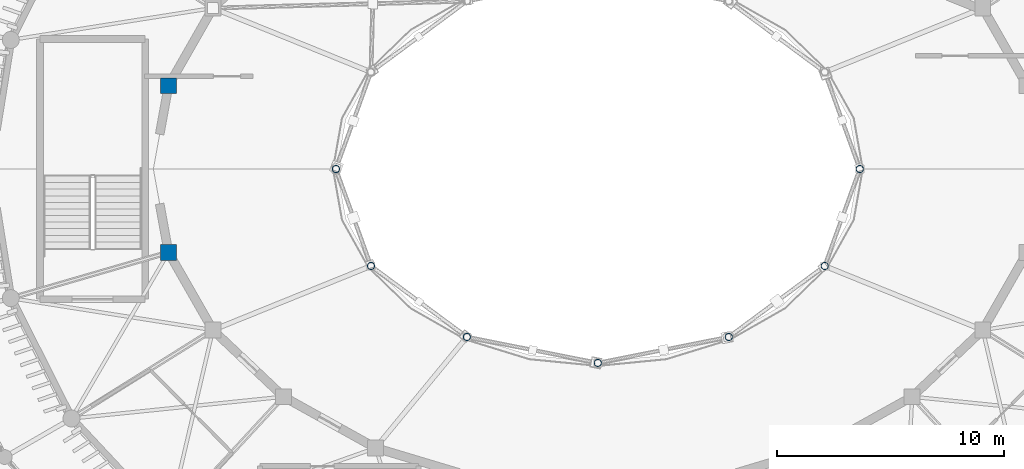
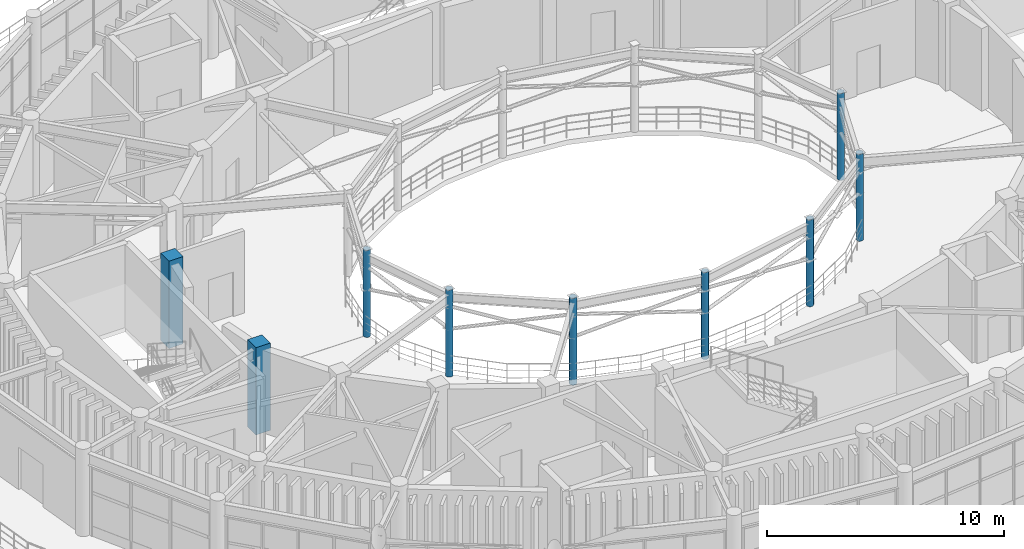
# One storey, part 2 of 45: 9 columns.
"""IFC4 building model written with IfcOpenShell, lengths in metres."""

from ifc_helpers import new_model, si_unit, direction, frame, origin, origin_2d, place, context, subcontext, project, spatial, rectangle, hollow_circle, extrude, material, material_profile, profile_set, type_object, element, save


model = new_model("IFC4")

# Units and contexts
model_context = context("Model", 3, precision=1e-05, world=origin(), true_north=direction((0.0, 1.0)))
body_context = subcontext(model_context, "Body", "Model", "MODEL_VIEW")
ifc_project = project(units=[si_unit("LENGTHUNIT", "METRE"), si_unit("AREAUNIT", "SQUARE_METRE"), si_unit("VOLUMEUNIT", "CUBIC_METRE"), si_unit("PLANEANGLEUNIT", "RADIAN"), si_unit("MASSUNIT", "GRAM", prefix="KILO")], contexts=[model_context])

# Site, building, storey
site_placement = place(None, origin())
site = spatial("IfcSite", under=ifc_project, at=site_placement, CompositionType="ELEMENT")
building_placement = place(site_placement, origin())
building = spatial("IfcBuilding", under=site, at=building_placement, Name="Cinderbank Siding Concert Hall", CompositionType="ELEMENT")
storey_placement = place(building_placement, frame((0.0, 0.0, 19.199951171875)))
storey = spatial("IfcBuildingStorey", under=building, at=storey_placement, Name="L05", CompositionType="ELEMENT", Elevation=19.199951171875)

# Columns
ifc_material_1 = material(Name="Structural steel hollow section AS/NZS 1163 Grade C350L0 (350 MPa)", Category="steel")
ifc_material_profile_1 = material_profile(ifc_material_1, hollow_circle(Radius=0.161865234375, WallThickness=0.0126953125, at=origin_2d()), Name="323.9x12.7CHS", Category="LoadBearing")
ifc_profile_set_1 = profile_set([ifc_material_profile_1], Name="Structural steel hollow section AS/NZS 1163 Grade C350L0 (350 MPa)")
column_type_1 = type_object("IfcColumnType", Name="C-CHS323 323.9x12.7CHS", PredefinedType="COLUMN", material=ifc_profile_set_1)
for number, where, z_axis, x_axis, name in (
    (1, (133.550048828125, 44.0, 0.0), (0.0, 0.0, 1.0), (1.0, 0.0, 0.0), "L05 Column COL-E0-01"),
    (2, (110.449951171875, 44.0, 0.0), (0.0, 0.0, 1.0), (1.0, 0.0, 0.0), "L05 Column COL-E0-13"),
    (3, (111.9970703125, 39.72509765625, 0.0), (0.0, 0.0, 1.0), (1.0, 0.0, 0.0), "L05 Column COL-E0-15"),
    (4, (116.22509765625, 36.595947265625, 0.0), (0.0, 0.0, 1.0), (1.0, 0.0, 0.0), "L05 Column COL-E0-17"),
    (5, (122.0, 35.449951171875, 0.0), (0.0, 0.0, 1.0), (1.0, 0.0, 0.0), "L05 Column COL-E0-19"),
    (6, (127.77490234375, 36.595947265625, 0.0), (0.0, 0.0, 1.0), (1.0, 0.0, 0.0), "L05 Column COL-E0-21"),
    (7, (132.0029296875, 39.72509765625, 0.0), (0.0, 0.0, 1.0), (1.0, 0.0, 0.0), "L05 Column COL-E0-23"),
):
    element("IfcColumn", number, at=place(storey_placement, frame(where, z_axis=z_axis, x_axis=x_axis)), inside=storey, type_object=column_type_1, Name=name, PredefinedType="COLUMN", context=body_context, shape_type="SweptSolid", body=[
        extrude(hollow_circle(Radius=0.161865234375, WallThickness=0.0126953125, at=origin_2d()), origin(), (0.0, 0.0, 1.0), 4.47998046875),
    ])
ifc_material_2 = material(Name="Reinforced concrete AS 3600 N50 (50 MPa)", Category="concrete")
ifc_material_profile_2 = material_profile(ifc_material_2, rectangle(XDim=0.699951171875, YDim=0.699951171875, at=origin_2d()), Name="RC-COL-700x700", Category="LoadBearing")
ifc_profile_set_2 = profile_set([ifc_material_profile_2], Name="Reinforced concrete AS 3600 N50 (50 MPa)")
column_type_2 = type_object("IfcColumnType", Name="C-RC700 RC-COL-700x700", PredefinedType="COLUMN", material=ifc_profile_set_2)
for number, where, z_axis, x_axis, name in (
    (8, (103.068115234375, 47.675048828125, 0.0), (0.0, 0.0, 1.0), (1.0, 0.0, 0.0), "L05 Column COL-E1-12"),
    (9, (103.068115234375, 40.324951171875, 0.0), (0.0, 0.0, 1.0), (1.0, 0.0, 0.0), "L05 Column COL-E1-14"),
):
    element("IfcColumn", number, at=place(storey_placement, frame(where, z_axis=z_axis, x_axis=x_axis)), inside=storey, type_object=column_type_2, Name=name, PredefinedType="COLUMN", context=body_context, shape_type="SweptSolid", body=[
        extrude(rectangle(XDim=0.699951171875, YDim=0.699951171875, at=origin_2d()), origin(), (0.0, 0.0, 1.0), 4.5),
    ])

save(model, "model.ifc")
